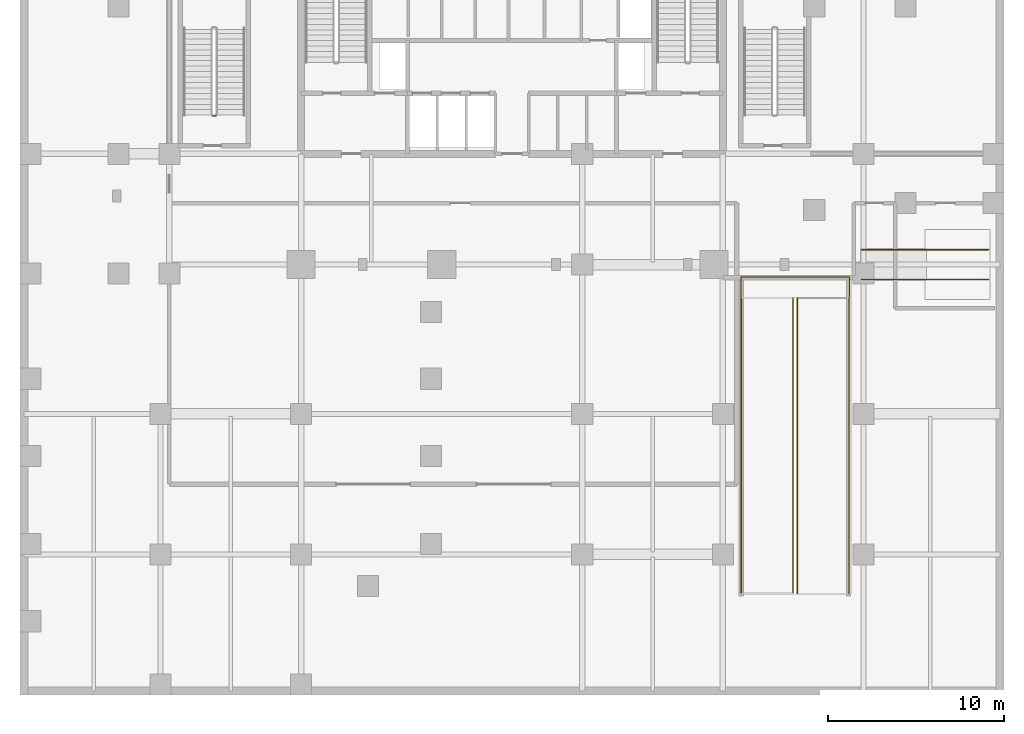
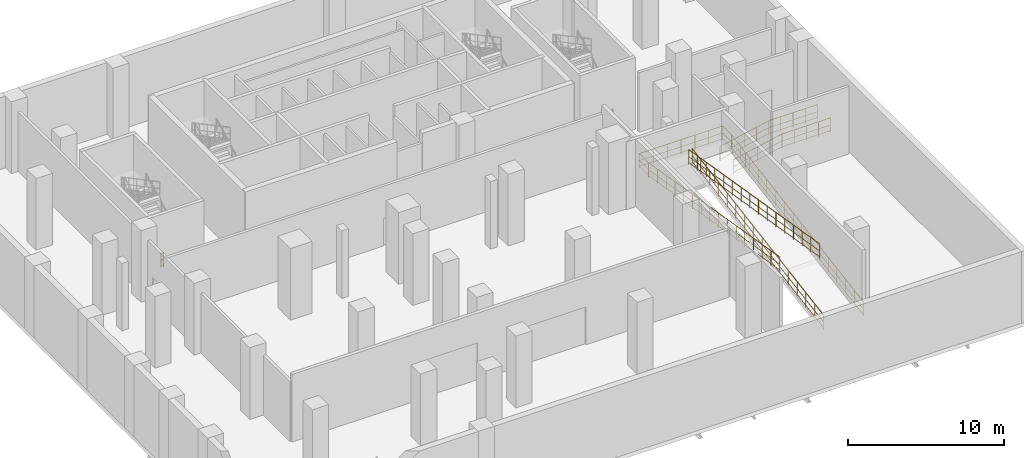
# One storey, part 4 of 5: 8 railings.
"""IFC4 building model written with IfcOpenShell, lengths in metres."""

from ifc_helpers import new_model, si_unit, direction, frame, origin, origin_2d, place, context, subcontext, project, spatial, circle, extrude, material, type_object, element, save


model = new_model("IFC4")

# Units and contexts
model_context = context("Model", 3, precision=1e-05, world=origin(), true_north=direction((0.0, 1.0)))
body_context = subcontext(model_context, "Body", "Model", "MODEL_VIEW")
ifc_project = project(units=[si_unit("LENGTHUNIT", "METRE"), si_unit("AREAUNIT", "SQUARE_METRE"), si_unit("VOLUMEUNIT", "CUBIC_METRE"), si_unit("PLANEANGLEUNIT", "RADIAN"), si_unit("MASSUNIT", "GRAM", prefix="KILO")], contexts=[model_context])

# Site, building, storey
site_placement = place(None, origin())
site = spatial("IfcSite", under=ifc_project, at=site_placement, CompositionType="ELEMENT")
building_placement = place(site_placement, origin())
building = spatial("IfcBuilding", under=site, at=building_placement, Name="Catumbela Crestline Tower", CompositionType="ELEMENT")
storey_placement = place(building_placement, frame((0.0, 0.0, -5.6)))
storey = spatial("IfcBuildingStorey", under=building, at=storey_placement, Name="B01", CompositionType="ELEMENT", Elevation=-5.6)

# Railings
ifc_material = material(Name="Stainless steel EN 1.4401", Category="steel")
railing_type_1 = type_object("IfcRailingType", Name="RG-1100", PredefinedType="GUARDRAIL", material=ifc_material)
railing_1_placement = place(storey_placement, frame((11.14, 32.95, 0.0)))
element("IfcRailing", 1, at=railing_1_placement, inside=storey, type_object=railing_type_1, Name="B01 ST-03 stair guard 4", PredefinedType="GUARDRAIL", context=body_context, shape_type="SweptSolid", body=[
    extrude(circle(Radius=0.024, at=origin_2d()), frame((0.0, 0.0, 1.076), z_axis=(-1.0, 0.0, 0.0), x_axis=(0.0, -1.0, 0.0)), (0.0, 0.0, 1.0), 0.18),
    extrude(circle(Radius=0.0156, at=origin_2d()), frame((0.0, 0.0, 0.55), z_axis=(-1.0, 0.0, 0.0), x_axis=(0.0, -1.0, 0.0)), (0.0, 0.0, 1.0), 0.18),
    extrude(circle(Radius=0.0156, at=origin_2d()), frame((0.0, 0.0, 0.12), z_axis=(-1.0, 0.0, 0.0), x_axis=(0.0, -1.0, 0.0)), (0.0, 0.0, 1.0), 0.18),
    extrude(circle(Radius=0.021, at=origin_2d()), origin(), (0.0, 0.0, 1.0), 1.052),
    extrude(circle(Radius=0.021, at=origin_2d()), frame((-0.18, 0.0, 0.0)), (0.0, 0.0, 1.0), 1.052),
])
railing_type_2 = type_object("IfcRailingType", Name="RT-1150", PredefinedType="BALUSTRADE", material=ifc_material)
railing_2_placement = place(storey_placement, frame((44.24, 5.78, 0.0)))
element("IfcRailing", 2, at=railing_2_placement, inside=storey, type_object=railing_type_2, Name="B01 Vehicle Ramp Lower West Safety Guard", PredefinedType="BALUSTRADE", context=body_context, shape_type="SweptSolid", body=[
    extrude(circle(Radius=0.024, at=origin_2d()), frame((0.0, 0.0, 1.126), z_axis=(0.0, 0.986393923832, 0.164398987305), x_axis=(-1.0, 0.0, 0.0)), (0.0, 0.0, 1.0), 17.0317),
    extrude(circle(Radius=0.0156, at=origin_2d()), frame((0.0, 0.0, 0.575), z_axis=(0.0, 0.986393923832, 0.164398987305), x_axis=(-1.0, 0.0, 0.0)), (0.0, 0.0, 1.0), 17.0317),
    extrude(circle(Radius=0.0156, at=origin_2d()), frame((0.0, 0.0, 0.12), z_axis=(0.0, 0.986393923832, 0.164398987305), x_axis=(-1.0, 0.0, 0.0)), (0.0, 0.0, 1.0), 17.0317),
    extrude(circle(Radius=0.021, at=origin_2d()), origin(), (0.0, 0.0, 1.0), 1.102),
    extrude(circle(Radius=0.021, at=origin_2d()), frame((0.0, 1.12, 0.1867)), (0.0, 0.0, 1.0), 1.102),
    extrude(circle(Radius=0.021, at=origin_2d()), frame((0.0, 2.24, 0.3733)), (0.0, 0.0, 1.0), 1.102),
    extrude(circle(Radius=0.021, at=origin_2d()), frame((0.0, 3.36, 0.56)), (0.0, 0.0, 1.0), 1.102),
    extrude(circle(Radius=0.021, at=origin_2d()), frame((0.0, 4.48, 0.7467)), (0.0, 0.0, 1.0), 1.102),
    extrude(circle(Radius=0.021, at=origin_2d()), frame((0.0, 5.6, 0.9333)), (0.0, 0.0, 1.0), 1.102),
    extrude(circle(Radius=0.021, at=origin_2d()), frame((0.0, 6.72, 1.12)), (0.0, 0.0, 1.0), 1.102),
    extrude(circle(Radius=0.021, at=origin_2d()), frame((0.0, 7.84, 1.3067)), (0.0, 0.0, 1.0), 1.102),
    extrude(circle(Radius=0.021, at=origin_2d()), frame((0.0, 8.96, 1.4933)), (0.0, 0.0, 1.0), 1.102),
    extrude(circle(Radius=0.021, at=origin_2d()), frame((0.0, 10.08, 1.68)), (0.0, 0.0, 1.0), 1.102),
    extrude(circle(Radius=0.021, at=origin_2d()), frame((0.0, 11.2, 1.8667)), (0.0, 0.0, 1.0), 1.102),
    extrude(circle(Radius=0.021, at=origin_2d()), frame((0.0, 12.32, 2.0533)), (0.0, 0.0, 1.0), 1.102),
    extrude(circle(Radius=0.021, at=origin_2d()), frame((0.0, 13.44, 2.24)), (0.0, 0.0, 1.0), 1.102),
    extrude(circle(Radius=0.021, at=origin_2d()), frame((0.0, 14.56, 2.4267)), (0.0, 0.0, 1.0), 1.102),
    extrude(circle(Radius=0.021, at=origin_2d()), frame((0.0, 15.68, 2.6133)), (0.0, 0.0, 1.0), 1.102),
    extrude(circle(Radius=0.021, at=origin_2d()), frame((0.0, 16.8, 2.8)), (0.0, 0.0, 1.0), 1.102),
])
railing_3_placement = place(storey_placement, frame((47.18, 5.78, 0.0)))
element("IfcRailing", 3, at=railing_3_placement, inside=storey, type_object=railing_type_2, Name="B01 Vehicle Ramp Lower East Safety Guard", PredefinedType="BALUSTRADE", context=body_context, shape_type="SweptSolid", body=[
    extrude(circle(Radius=0.024, at=origin_2d()), frame((0.0, 0.0, 1.126), z_axis=(0.0, 0.986393923832, 0.164398987305), x_axis=(-1.0, 0.0, 0.0)), (0.0, 0.0, 1.0), 17.0317),
    extrude(circle(Radius=0.0156, at=origin_2d()), frame((0.0, 0.0, 0.575), z_axis=(0.0, 0.986393923832, 0.164398987305), x_axis=(-1.0, 0.0, 0.0)), (0.0, 0.0, 1.0), 17.0317),
    extrude(circle(Radius=0.0156, at=origin_2d()), frame((0.0, 0.0, 0.12), z_axis=(0.0, 0.986393923832, 0.164398987305), x_axis=(-1.0, 0.0, 0.0)), (0.0, 0.0, 1.0), 17.0317),
    extrude(circle(Radius=0.021, at=origin_2d()), origin(), (0.0, 0.0, 1.0), 1.102),
    extrude(circle(Radius=0.021, at=origin_2d()), frame((0.0, 1.12, 0.1867)), (0.0, 0.0, 1.0), 1.102),
    extrude(circle(Radius=0.021, at=origin_2d()), frame((0.0, 2.24, 0.3733)), (0.0, 0.0, 1.0), 1.102),
    extrude(circle(Radius=0.021, at=origin_2d()), frame((0.0, 3.36, 0.56)), (0.0, 0.0, 1.0), 1.102),
    extrude(circle(Radius=0.021, at=origin_2d()), frame((0.0, 4.48, 0.7467)), (0.0, 0.0, 1.0), 1.102),
    extrude(circle(Radius=0.021, at=origin_2d()), frame((0.0, 5.6, 0.9333)), (0.0, 0.0, 1.0), 1.102),
    extrude(circle(Radius=0.021, at=origin_2d()), frame((0.0, 6.72, 1.12)), (0.0, 0.0, 1.0), 1.102),
    extrude(circle(Radius=0.021, at=origin_2d()), frame((0.0, 7.84, 1.3067)), (0.0, 0.0, 1.0), 1.102),
    extrude(circle(Radius=0.021, at=origin_2d()), frame((0.0, 8.96, 1.4933)), (0.0, 0.0, 1.0), 1.102),
    extrude(circle(Radius=0.021, at=origin_2d()), frame((0.0, 10.08, 1.68)), (0.0, 0.0, 1.0), 1.102),
    extrude(circle(Radius=0.021, at=origin_2d()), frame((0.0, 11.2, 1.8667)), (0.0, 0.0, 1.0), 1.102),
    extrude(circle(Radius=0.021, at=origin_2d()), frame((0.0, 12.32, 2.0533)), (0.0, 0.0, 1.0), 1.102),
    extrude(circle(Radius=0.021, at=origin_2d()), frame((0.0, 13.44, 2.24)), (0.0, 0.0, 1.0), 1.102),
    extrude(circle(Radius=0.021, at=origin_2d()), frame((0.0, 14.56, 2.4267)), (0.0, 0.0, 1.0), 1.102),
    extrude(circle(Radius=0.021, at=origin_2d()), frame((0.0, 15.68, 2.6133)), (0.0, 0.0, 1.0), 1.102),
    extrude(circle(Radius=0.021, at=origin_2d()), frame((0.0, 16.8, 2.8)), (0.0, 0.0, 1.0), 1.102),
])
railing_4_placement = place(storey_placement, frame((43.99, 22.58, 2.8)))
element("IfcRailing", 4, at=railing_4_placement, inside=storey, type_object=railing_type_2, Name="B01 Vehicle Ramp Upper Median Safety Guard", PredefinedType="BALUSTRADE", context=body_context, shape_type="SweptSolid", body=[
    extrude(circle(Radius=0.024, at=origin_2d()), frame((0.0, 0.0, 1.126), z_axis=(0.0, -0.986330228073, 0.164780706361), x_axis=(1.0, 0.0, 0.0)), (0.0, 0.0, 1.0), 16.9923),
    extrude(circle(Radius=0.0156, at=origin_2d()), frame((0.0, 0.0, 0.575), z_axis=(0.0, -0.986330228073, 0.164780706361), x_axis=(1.0, 0.0, 0.0)), (0.0, 0.0, 1.0), 16.9923),
    extrude(circle(Radius=0.0156, at=origin_2d()), frame((0.0, 0.0, 0.12), z_axis=(0.0, -0.986330228073, 0.164780706361), x_axis=(1.0, 0.0, 0.0)), (0.0, 0.0, 1.0), 16.9923),
    extrude(circle(Radius=0.021, at=origin_2d()), origin(), (0.0, 0.0, 1.0), 1.102),
    extrude(circle(Radius=0.021, at=origin_2d()), frame((0.0, -1.1173, 0.1867)), (0.0, 0.0, 1.0), 1.102),
    extrude(circle(Radius=0.021, at=origin_2d()), frame((0.0, -2.2347, 0.3733)), (0.0, 0.0, 1.0), 1.102),
    extrude(circle(Radius=0.021, at=origin_2d()), frame((0.0, -3.352, 0.56)), (0.0, 0.0, 1.0), 1.102),
    extrude(circle(Radius=0.021, at=origin_2d()), frame((0.0, -4.4693, 0.7467)), (0.0, 0.0, 1.0), 1.102),
    extrude(circle(Radius=0.021, at=origin_2d()), frame((0.0, -5.5867, 0.9333)), (0.0, 0.0, 1.0), 1.102),
    extrude(circle(Radius=0.021, at=origin_2d()), frame((0.0, -6.704, 1.12)), (0.0, 0.0, 1.0), 1.102),
    extrude(circle(Radius=0.021, at=origin_2d()), frame((0.0, -7.8213, 1.3067)), (0.0, 0.0, 1.0), 1.102),
    extrude(circle(Radius=0.021, at=origin_2d()), frame((0.0, -8.9387, 1.4933)), (0.0, 0.0, 1.0), 1.102),
    extrude(circle(Radius=0.021, at=origin_2d()), frame((0.0, -10.056, 1.68)), (0.0, 0.0, 1.0), 1.102),
    extrude(circle(Radius=0.021, at=origin_2d()), frame((0.0, -11.1733, 1.8667)), (0.0, 0.0, 1.0), 1.102),
    extrude(circle(Radius=0.021, at=origin_2d()), frame((0.0, -12.2907, 2.0533)), (0.0, 0.0, 1.0), 1.102),
    extrude(circle(Radius=0.021, at=origin_2d()), frame((0.0, -13.408, 2.24)), (0.0, 0.0, 1.0), 1.102),
    extrude(circle(Radius=0.021, at=origin_2d()), frame((0.0, -14.5253, 2.4267)), (0.0, 0.0, 1.0), 1.102),
    extrude(circle(Radius=0.021, at=origin_2d()), frame((0.0, -15.6427, 2.6133)), (0.0, 0.0, 1.0), 1.102),
    extrude(circle(Radius=0.021, at=origin_2d()), frame((0.0, -16.76, 2.8)), (0.0, 0.0, 1.0), 1.102),
])
railing_5_placement = place(storey_placement, frame((41.04, 22.58, 2.8)))
element("IfcRailing", 5, at=railing_5_placement, inside=storey, type_object=railing_type_2, Name="B01 Vehicle Ramp Upper West Safety Guard", PredefinedType="BALUSTRADE", context=body_context, shape_type="SweptSolid", body=[
    extrude(circle(Radius=0.024, at=origin_2d()), frame((0.0, 0.0, 1.126), z_axis=(0.0, -0.986330228073, 0.164780706361), x_axis=(1.0, 0.0, 0.0)), (0.0, 0.0, 1.0), 16.9923),
    extrude(circle(Radius=0.0156, at=origin_2d()), frame((0.0, 0.0, 0.575), z_axis=(0.0, -0.986330228073, 0.164780706361), x_axis=(1.0, 0.0, 0.0)), (0.0, 0.0, 1.0), 16.9923),
    extrude(circle(Radius=0.0156, at=origin_2d()), frame((0.0, 0.0, 0.12), z_axis=(0.0, -0.986330228073, 0.164780706361), x_axis=(1.0, 0.0, 0.0)), (0.0, 0.0, 1.0), 16.9923),
    extrude(circle(Radius=0.021, at=origin_2d()), origin(), (0.0, 0.0, 1.0), 1.102),
    extrude(circle(Radius=0.021, at=origin_2d()), frame((0.0, -1.1173, 0.1867)), (0.0, 0.0, 1.0), 1.102),
    extrude(circle(Radius=0.021, at=origin_2d()), frame((0.0, -2.2347, 0.3733)), (0.0, 0.0, 1.0), 1.102),
    extrude(circle(Radius=0.021, at=origin_2d()), frame((0.0, -3.352, 0.56)), (0.0, 0.0, 1.0), 1.102),
    extrude(circle(Radius=0.021, at=origin_2d()), frame((0.0, -4.4693, 0.7467)), (0.0, 0.0, 1.0), 1.102),
    extrude(circle(Radius=0.021, at=origin_2d()), frame((0.0, -5.5867, 0.9333)), (0.0, 0.0, 1.0), 1.102),
    extrude(circle(Radius=0.021, at=origin_2d()), frame((0.0, -6.704, 1.12)), (0.0, 0.0, 1.0), 1.102),
    extrude(circle(Radius=0.021, at=origin_2d()), frame((0.0, -7.8213, 1.3067)), (0.0, 0.0, 1.0), 1.102),
    extrude(circle(Radius=0.021, at=origin_2d()), frame((0.0, -8.9387, 1.4933)), (0.0, 0.0, 1.0), 1.102),
    extrude(circle(Radius=0.021, at=origin_2d()), frame((0.0, -10.056, 1.68)), (0.0, 0.0, 1.0), 1.102),
    extrude(circle(Radius=0.021, at=origin_2d()), frame((0.0, -11.1733, 1.8667)), (0.0, 0.0, 1.0), 1.102),
    extrude(circle(Radius=0.021, at=origin_2d()), frame((0.0, -12.2907, 2.0533)), (0.0, 0.0, 1.0), 1.102),
    extrude(circle(Radius=0.021, at=origin_2d()), frame((0.0, -13.408, 2.24)), (0.0, 0.0, 1.0), 1.102),
    extrude(circle(Radius=0.021, at=origin_2d()), frame((0.0, -14.5253, 2.4267)), (0.0, 0.0, 1.0), 1.102),
    extrude(circle(Radius=0.021, at=origin_2d()), frame((0.0, -15.6427, 2.6133)), (0.0, 0.0, 1.0), 1.102),
    extrude(circle(Radius=0.021, at=origin_2d()), frame((0.0, -16.76, 2.8)), (0.0, 0.0, 1.0), 1.102),
])
railing_6_placement = place(storey_placement, frame((41.04, 22.66, 2.8)))
element("IfcRailing", 6, at=railing_6_placement, inside=storey, type_object=railing_type_2, Name="B01 Vehicle Ramp Mid-Landing Perimeter Guard", PredefinedType="BALUSTRADE", context=body_context, shape_type="SweptSolid", body=[
    extrude(circle(Radius=0.024, at=origin_2d()), frame((0.0, 0.0, 1.126), z_axis=(0.0, 1.0, 0.0), x_axis=(-1.0, 0.0, 0.0)), (0.0, 0.0, 1.0), 1.13),
    extrude(circle(Radius=0.0156, at=origin_2d()), frame((0.0, 0.0, 0.575), z_axis=(0.0, 1.0, 0.0), x_axis=(-1.0, 0.0, 0.0)), (0.0, 0.0, 1.0), 1.13),
    extrude(circle(Radius=0.0156, at=origin_2d()), frame((0.0, 0.0, 0.12), z_axis=(0.0, 1.0, 0.0), x_axis=(-1.0, 0.0, 0.0)), (0.0, 0.0, 1.0), 1.13),
    extrude(circle(Radius=0.024, at=origin_2d()), frame((0.0, 1.13, 1.126), z_axis=(1.0, 0.0, 0.0), x_axis=(0.0, 1.0, 0.0)), (0.0, 0.0, 1.0), 6.16),
    extrude(circle(Radius=0.0156, at=origin_2d()), frame((0.0, 1.13, 0.575), z_axis=(1.0, 0.0, 0.0), x_axis=(0.0, 1.0, 0.0)), (0.0, 0.0, 1.0), 6.16),
    extrude(circle(Radius=0.0156, at=origin_2d()), frame((0.0, 1.13, 0.12), z_axis=(1.0, 0.0, 0.0), x_axis=(0.0, 1.0, 0.0)), (0.0, 0.0, 1.0), 6.16),
    extrude(circle(Radius=0.024, at=origin_2d()), frame((6.16, 1.13, 1.126), z_axis=(0.0, -1.0, 0.0), x_axis=(1.0, 0.0, 0.0)), (0.0, 0.0, 1.0), 1.13),
    extrude(circle(Radius=0.0156, at=origin_2d()), frame((6.16, 1.13, 0.575), z_axis=(0.0, -1.0, 0.0), x_axis=(1.0, 0.0, 0.0)), (0.0, 0.0, 1.0), 1.13),
    extrude(circle(Radius=0.0156, at=origin_2d()), frame((6.16, 1.13, 0.12), z_axis=(0.0, -1.0, 0.0), x_axis=(1.0, 0.0, 0.0)), (0.0, 0.0, 1.0), 1.13),
    extrude(circle(Radius=0.021, at=origin_2d()), origin(), (0.0, 0.0, 1.0), 1.102),
    extrude(circle(Radius=0.021, at=origin_2d()), frame((0.0, 1.13, 0.0)), (0.0, 0.0, 1.0), 1.102),
    extrude(circle(Radius=0.021, at=origin_2d()), frame((1.0267, 1.13, 0.0)), (0.0, 0.0, 1.0), 1.102),
    extrude(circle(Radius=0.021, at=origin_2d()), frame((2.0533, 1.13, 0.0)), (0.0, 0.0, 1.0), 1.102),
    extrude(circle(Radius=0.021, at=origin_2d()), frame((3.08, 1.13, 0.0)), (0.0, 0.0, 1.0), 1.102),
    extrude(circle(Radius=0.021, at=origin_2d()), frame((4.1067, 1.13, 0.0)), (0.0, 0.0, 1.0), 1.102),
    extrude(circle(Radius=0.021, at=origin_2d()), frame((5.1333, 1.13, 0.0)), (0.0, 0.0, 1.0), 1.102),
    extrude(circle(Radius=0.021, at=origin_2d()), frame((6.16, 1.13, 0.0)), (0.0, 0.0, 1.0), 1.102),
    extrude(circle(Radius=0.021, at=origin_2d()), frame((6.16, 0.0, 0.0)), (0.0, 0.0, 1.0), 1.102),
])
railing_7_placement = place(storey_placement, frame((47.9, 23.65, 0.0)))
element("IfcRailing", 7, at=railing_7_placement, inside=storey, type_object=railing_type_2, Name="B01 Loading Dock Guardrail S", PredefinedType="BALUSTRADE", context=body_context, shape_type="SweptSolid", body=[
    extrude(circle(Radius=0.024, at=origin_2d()), frame((0.0, 0.0, 1.126), z_axis=(0.978980419738, 0.0, 0.203954254112), x_axis=(0.0, 1.0, 0.0)), (0.0, 0.0, 1.0), 3.6773),
    extrude(circle(Radius=0.0156, at=origin_2d()), frame((0.0, 0.0, 0.575), z_axis=(0.978980419738, 0.0, 0.203954254112), x_axis=(0.0, 1.0, 0.0)), (0.0, 0.0, 1.0), 3.6773),
    extrude(circle(Radius=0.0156, at=origin_2d()), frame((0.0, 0.0, 0.12), z_axis=(0.978980419738, 0.0, 0.203954254112), x_axis=(0.0, 1.0, 0.0)), (0.0, 0.0, 1.0), 3.6773),
    extrude(circle(Radius=0.024, at=origin_2d()), frame((3.6, 0.0, 1.876), z_axis=(1.0, 0.0, 0.0), x_axis=(0.0, 1.0, 0.0)), (0.0, 0.0, 1.0), 3.6),
    extrude(circle(Radius=0.0156, at=origin_2d()), frame((3.6, 0.0, 1.325), z_axis=(1.0, 0.0, 0.0), x_axis=(0.0, 1.0, 0.0)), (0.0, 0.0, 1.0), 3.6),
    extrude(circle(Radius=0.0156, at=origin_2d()), frame((3.6, 0.0, 0.87), z_axis=(1.0, 0.0, 0.0), x_axis=(0.0, 1.0, 0.0)), (0.0, 0.0, 1.0), 3.6),
    extrude(circle(Radius=0.021, at=origin_2d()), origin(), (0.0, 0.0, 1.0), 1.102),
    extrude(circle(Radius=0.021, at=origin_2d()), frame((0.9, 0.0, 0.1875)), (0.0, 0.0, 1.0), 1.102),
    extrude(circle(Radius=0.021, at=origin_2d()), frame((1.8, 0.0, 0.375)), (0.0, 0.0, 1.0), 1.102),
    extrude(circle(Radius=0.021, at=origin_2d()), frame((2.7, 0.0, 0.5625)), (0.0, 0.0, 1.0), 1.102),
    extrude(circle(Radius=0.021, at=origin_2d()), frame((3.6, 0.0, 0.75)), (0.0, 0.0, 1.0), 1.102),
    extrude(circle(Radius=0.021, at=origin_2d()), frame((4.5, 0.0, 0.75)), (0.0, 0.0, 1.0), 1.102),
    extrude(circle(Radius=0.021, at=origin_2d()), frame((5.4, 0.0, 0.75)), (0.0, 0.0, 1.0), 1.102),
    extrude(circle(Radius=0.021, at=origin_2d()), frame((6.3, 0.0, 0.75)), (0.0, 0.0, 1.0), 1.102),
    extrude(circle(Radius=0.021, at=origin_2d()), frame((7.2, 0.0, 0.75)), (0.0, 0.0, 1.0), 1.102),
])
railing_8_placement = place(storey_placement, frame((47.9, 25.35, 0.0)))
element("IfcRailing", 8, at=railing_8_placement, inside=storey, type_object=railing_type_2, Name="B01 Loading Dock Guardrail N", PredefinedType="BALUSTRADE", context=body_context, shape_type="SweptSolid", body=[
    extrude(circle(Radius=0.024, at=origin_2d()), frame((0.0, 0.0, 1.126), z_axis=(0.978980419738, 0.0, 0.203954254112), x_axis=(0.0, 1.0, 0.0)), (0.0, 0.0, 1.0), 3.6773),
    extrude(circle(Radius=0.0156, at=origin_2d()), frame((0.0, 0.0, 0.575), z_axis=(0.978980419738, 0.0, 0.203954254112), x_axis=(0.0, 1.0, 0.0)), (0.0, 0.0, 1.0), 3.6773),
    extrude(circle(Radius=0.0156, at=origin_2d()), frame((0.0, 0.0, 0.12), z_axis=(0.978980419738, 0.0, 0.203954254112), x_axis=(0.0, 1.0, 0.0)), (0.0, 0.0, 1.0), 3.6773),
    extrude(circle(Radius=0.024, at=origin_2d()), frame((3.6, 0.0, 1.876), z_axis=(1.0, 0.0, 0.0), x_axis=(0.0, 1.0, 0.0)), (0.0, 0.0, 1.0), 3.6),
    extrude(circle(Radius=0.0156, at=origin_2d()), frame((3.6, 0.0, 1.325), z_axis=(1.0, 0.0, 0.0), x_axis=(0.0, 1.0, 0.0)), (0.0, 0.0, 1.0), 3.6),
    extrude(circle(Radius=0.0156, at=origin_2d()), frame((3.6, 0.0, 0.87), z_axis=(1.0, 0.0, 0.0), x_axis=(0.0, 1.0, 0.0)), (0.0, 0.0, 1.0), 3.6),
    extrude(circle(Radius=0.021, at=origin_2d()), origin(), (0.0, 0.0, 1.0), 1.102),
    extrude(circle(Radius=0.021, at=origin_2d()), frame((0.9, 0.0, 0.1875)), (0.0, 0.0, 1.0), 1.102),
    extrude(circle(Radius=0.021, at=origin_2d()), frame((1.8, 0.0, 0.375)), (0.0, 0.0, 1.0), 1.102),
    extrude(circle(Radius=0.021, at=origin_2d()), frame((2.7, 0.0, 0.5625)), (0.0, 0.0, 1.0), 1.102),
    extrude(circle(Radius=0.021, at=origin_2d()), frame((3.6, 0.0, 0.75)), (0.0, 0.0, 1.0), 1.102),
    extrude(circle(Radius=0.021, at=origin_2d()), frame((4.5, 0.0, 0.75)), (0.0, 0.0, 1.0), 1.102),
    extrude(circle(Radius=0.021, at=origin_2d()), frame((5.4, 0.0, 0.75)), (0.0, 0.0, 1.0), 1.102),
    extrude(circle(Radius=0.021, at=origin_2d()), frame((6.3, 0.0, 0.75)), (0.0, 0.0, 1.0), 1.102),
    extrude(circle(Radius=0.021, at=origin_2d()), frame((7.2, 0.0, 0.75)), (0.0, 0.0, 1.0), 1.102),
])

save(model, "model.ifc")
